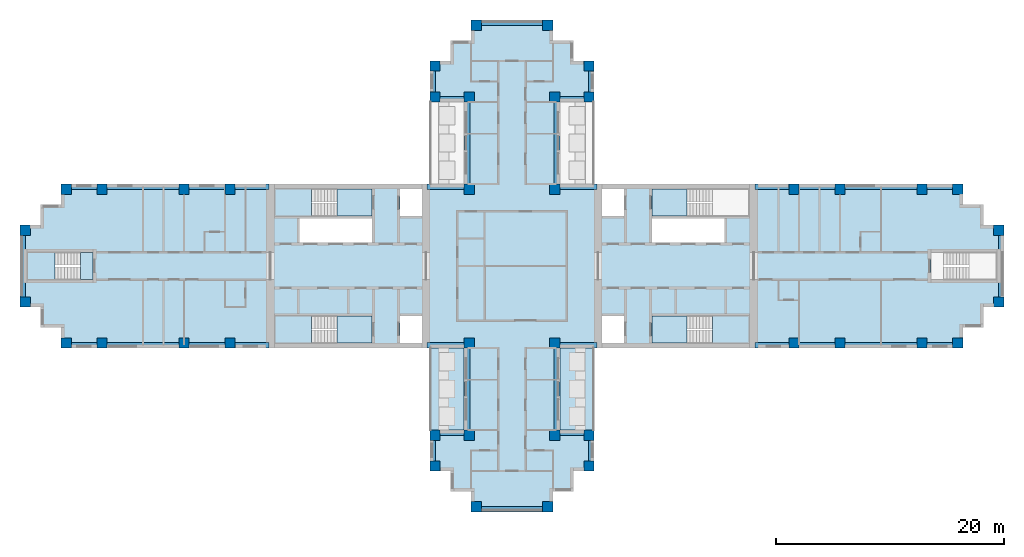
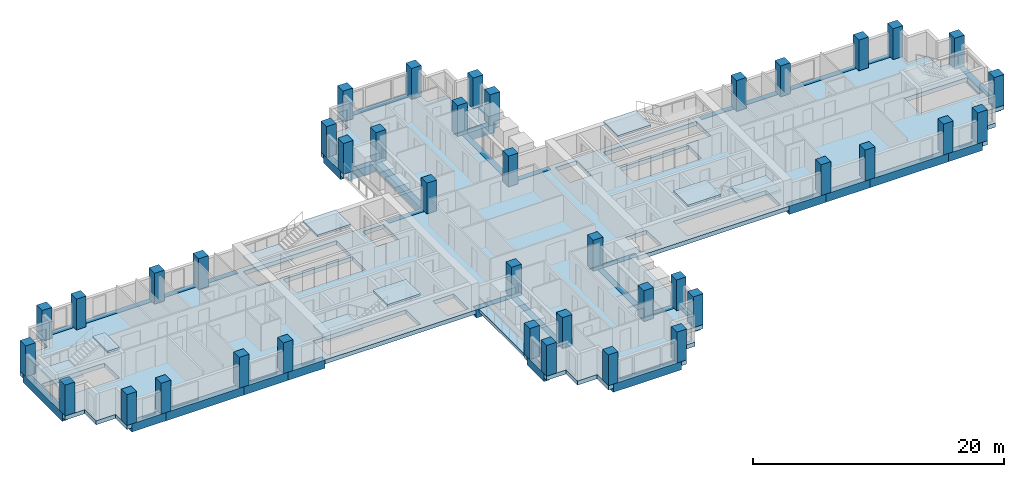
# One storey, part 1 of 12: 40 columns, 36 beams, 12 slabs, 5 elements without a shape of their own.
"""IFC4 building model written with IfcOpenShell, lengths in metres."""

from ifc_helpers import new_model, si_unit, direction, frame, origin, origin_2d, place, context, subcontext, project, spatial, polyline, rectangle, outline, extrude, material, layer, layer_set, material_profile, profile_set, type_object, element, aggregate, save


model = new_model("IFC4")

# Units and contexts
model_context = context("Model", 3, precision=1e-05, world=origin(), true_north=direction((0.0, 1.0)))
body_context = subcontext(model_context, "Body", "Model", "MODEL_VIEW")
ifc_project = project(units=[si_unit("LENGTHUNIT", "METRE"), si_unit("AREAUNIT", "SQUARE_METRE"), si_unit("VOLUMEUNIT", "CUBIC_METRE"), si_unit("PLANEANGLEUNIT", "RADIAN"), si_unit("MASSUNIT", "GRAM", prefix="KILO")], contexts=[model_context])

# Site, building, storey
site_placement = place(None, origin())
site = spatial("IfcSite", under=ifc_project, at=site_placement, CompositionType="ELEMENT")
building_placement = place(site_placement, origin())
building = spatial("IfcBuilding", under=site, at=building_placement, Name="Fustian Cross Tower", CompositionType="ELEMENT")
storey_placement = place(building_placement, frame((0.0, 0.0, 147.300048828125)))
storey = spatial("IfcBuildingStorey", under=building, at=storey_placement, Name="L46", CompositionType="ELEMENT", Elevation=147.300048828125)

# Columns
ifc_material_1 = material(Name="Concrete C50/60", Category="concrete")
ifc_material_profile_1 = material_profile(ifc_material_1, rectangle(XDim=0.89990234375, YDim=0.89990234375, at=origin_2d()), Name="RC 900x900")
ifc_profile_set_1 = profile_set([ifc_material_profile_1], Name="Concrete C50/60")
column_type = type_object("IfcColumnType", Name="COLUMN RC 900x900 C50/60", PredefinedType="COLUMN", material=ifc_profile_set_1)
for number, where, z_axis, x_axis, name in (
    (1, (-42.75, -3.14990234375, 0.0), (0.0, 0.0, 1.0), (1.0, 0.0, 0.0), "COLUMN 001"),
    (2, (-42.75, 3.14990234375, 0.0), (0.0, 0.0, 1.0), (1.0, 0.0, 0.0), "COLUMN 002"),
    (3, (-39.14990234375, -6.75, 0.0), (0.0, 0.0, 1.0), (1.0, 0.0, 0.0), "COLUMN 003"),
    (4, (-39.14990234375, 6.75, 0.0), (0.0, 0.0, 1.0), (1.0, 0.0, 0.0), "COLUMN 004"),
    (5, (-36.0, -6.75, 0.0), (0.0, 0.0, 1.0), (1.0, 0.0, 0.0), "COLUMN 005"),
    (6, (-36.0, 6.75, 0.0), (0.0, 0.0, 1.0), (1.0, 0.0, 0.0), "COLUMN 006"),
    (7, (-28.800048828125, -6.75, 0.0), (0.0, 0.0, 1.0), (1.0, 0.0, 0.0), "COLUMN 007"),
    (8, (-28.800048828125, 6.75, 0.0), (0.0, 0.0, 1.0), (1.0, 0.0, 0.0), "COLUMN 010"),
    (9, (-24.75, -6.75, 0.0), (0.0, 0.0, 1.0), (1.0, 0.0, 0.0), "COLUMN 011"),
    (10, (-24.75, 6.75, 0.0), (0.0, 0.0, 1.0), (1.0, 0.0, 0.0), "COLUMN 012"),
    (11, (-6.75, -17.550048828125, 0.0), (0.0, 0.0, 1.0), (1.0, 0.0, 0.0), "COLUMN 017"),
    (12, (-6.75, -14.85009765625, 0.0), (0.0, 0.0, 1.0), (1.0, 0.0, 0.0), "COLUMN 018"),
    (13, (-6.75, 14.85009765625, 0.0), (0.0, 0.0, 1.0), (1.0, 0.0, 0.0), "COLUMN 019"),
    (14, (-6.75, 17.550048828125, 0.0), (0.0, 0.0, 1.0), (1.0, 0.0, 0.0), "COLUMN 020"),
    (15, (-3.75, -14.85009765625, 0.0), (0.0, 0.0, 1.0), (1.0, 0.0, 0.0), "COLUMN 025"),
    (16, (-3.75, -6.75, 0.0), (0.0, 0.0, 1.0), (1.0, 0.0, 0.0), "COLUMN 026"),
    (17, (-3.75, 6.75, 0.0), (0.0, 0.0, 1.0), (1.0, 0.0, 0.0), "COLUMN 027"),
    (18, (-3.75, 14.85009765625, 0.0), (0.0, 0.0, 1.0), (1.0, 0.0, 0.0), "COLUMN 028"),
    (19, (-3.14990234375, -21.14990234375, 0.0), (0.0, 0.0, 1.0), (1.0, 0.0, 0.0), "COLUMN 030"),
    (20, (-3.14990234375, 21.14990234375, 0.0), (0.0, 0.0, 1.0), (1.0, 0.0, 0.0), "COLUMN 031"),
    (21, (3.14990234375, -21.14990234375, 0.0), (0.0, 0.0, 1.0), (1.0, 0.0, 0.0), "COLUMN 034"),
    (22, (3.14990234375, 21.14990234375, 0.0), (0.0, 0.0, 1.0), (1.0, 0.0, 0.0), "COLUMN 035"),
    (23, (3.75, -14.85009765625, 0.0), (0.0, 0.0, 1.0), (1.0, 0.0, 0.0), "COLUMN 037"),
    (24, (3.75, -6.75, 0.0), (0.0, 0.0, 1.0), (1.0, 0.0, 0.0), "COLUMN 038"),
    (25, (3.75, 6.75, 0.0), (0.0, 0.0, 1.0), (1.0, 0.0, 0.0), "COLUMN 039"),
    (26, (3.75, 14.85009765625, 0.0), (0.0, 0.0, 1.0), (1.0, 0.0, 0.0), "COLUMN 040"),
    (27, (6.75, -17.550048828125, 0.0), (0.0, 0.0, 1.0), (1.0, 0.0, 0.0), "COLUMN 045"),
    (28, (6.75, -14.85009765625, 0.0), (0.0, 0.0, 1.0), (1.0, 0.0, 0.0), "COLUMN 046"),
    (29, (6.75, 14.85009765625, 0.0), (0.0, 0.0, 1.0), (1.0, 0.0, 0.0), "COLUMN 047"),
    (30, (6.75, 17.550048828125, 0.0), (0.0, 0.0, 1.0), (1.0, 0.0, 0.0), "COLUMN 048"),
    (31, (24.75, -6.75, 0.0), (0.0, 0.0, 1.0), (1.0, 0.0, 0.0), "COLUMN 053"),
    (32, (24.75, 6.75, 0.0), (0.0, 0.0, 1.0), (1.0, 0.0, 0.0), "COLUMN 054"),
    (33, (28.800048828125, -6.75, 0.0), (0.0, 0.0, 1.0), (1.0, 0.0, 0.0), "COLUMN 055"),
    (34, (28.800048828125, 6.75, 0.0), (0.0, 0.0, 1.0), (1.0, 0.0, 0.0), "COLUMN 058"),
    (35, (36.0, -6.75, 0.0), (0.0, 0.0, 1.0), (1.0, 0.0, 0.0), "COLUMN 059"),
    (36, (36.0, 6.75, 0.0), (0.0, 0.0, 1.0), (1.0, 0.0, 0.0), "COLUMN 060"),
    (37, (39.14990234375, -6.75, 0.0), (0.0, 0.0, 1.0), (1.0, 0.0, 0.0), "COLUMN 061"),
    (38, (39.14990234375, 6.75, 0.0), (0.0, 0.0, 1.0), (1.0, 0.0, 0.0), "COLUMN 062"),
    (39, (42.75, -3.14990234375, 0.0), (0.0, 0.0, 1.0), (1.0, 0.0, 0.0), "COLUMN 063"),
    (40, (42.75, 3.14990234375, 0.0), (0.0, 0.0, 1.0), (1.0, 0.0, 0.0), "COLUMN 064"),
):
    element("IfcColumn", number, at=place(storey_placement, frame(where, z_axis=z_axis, x_axis=x_axis)), inside=storey, type_object=column_type, Name=name, PredefinedType="COLUMN", context=body_context, shape_type="SweptSolid", body=[
        extrude(rectangle(XDim=0.89990234375, YDim=0.89990234375, at=origin_2d()), origin(), (0.0, 0.0, 1.0), 3.0),
    ])

# Beams
ifc_material_2 = material(Name="Concrete C50/60", Category="concrete")
ifc_material_profile_2 = material_profile(ifc_material_2, rectangle(XDim=0.5, YDim=0.800048828125, at=origin_2d()), Name="RC 500x800")
ifc_profile_set_2 = profile_set([ifc_material_profile_2], Name="Concrete C50/60")
beam_type = type_object("IfcBeamType", Name="EDGE BEAM RC 500x800 C50/60", PredefinedType="SPANDREL", material=ifc_profile_set_2)
beam_1_placement = place(storey_placement, frame((21.35009765625, -6.949951171875, -0.400146484375), z_axis=(1.0, 0.0, 0.0), x_axis=(0.0, 1.0, 0.0)))
element("IfcBeam", 41, at=beam_1_placement, inside=storey, type_object=beam_type, Name="EDGE BEAM L46-01", PredefinedType="SPANDREL", context=body_context, shape_type="SweptSolid", body=[
    extrude(rectangle(XDim=0.5, YDim=0.800048828125, at=origin_2d()), origin(), (0.0, 0.0, 1.0), 3.39990234375),
])
beam_2_placement = place(storey_placement, frame((24.75, -6.949951171875, -0.400146484375), z_axis=(1.0, 0.0, 0.0), x_axis=(0.0, 1.0, 0.0)))
element("IfcBeam", 42, at=beam_2_placement, inside=storey, type_object=beam_type, Name="EDGE BEAM L46-02", PredefinedType="SPANDREL", context=body_context, shape_type="SweptSolid", body=[
    extrude(rectangle(XDim=0.5, YDim=0.800048828125, at=origin_2d()), origin(), (0.0, 0.0, 1.0), 4.050048828125),
])
beam_3_placement = place(storey_placement, frame((28.800048828125, -6.949951171875, -0.400146484375), z_axis=(1.0, 0.0, 0.0), x_axis=(0.0, 1.0, 0.0)))
element("IfcBeam", 43, at=beam_3_placement, inside=storey, type_object=beam_type, Name="EDGE BEAM L46-03", PredefinedType="SPANDREL", context=body_context, shape_type="SweptSolid", body=[
    extrude(rectangle(XDim=0.5, YDim=0.800048828125, at=origin_2d()), origin(), (0.0, 0.0, 1.0), 7.199951171875),
])
beam_4_placement = place(storey_placement, frame((36.0, -6.949951171875, -0.400146484375), z_axis=(1.0, 0.0, 0.0), x_axis=(0.0, 1.0, 0.0)))
element("IfcBeam", 44, at=beam_4_placement, inside=storey, type_object=beam_type, Name="EDGE BEAM L46-04", PredefinedType="SPANDREL", context=body_context, shape_type="SweptSolid", body=[
    extrude(rectangle(XDim=0.5, YDim=0.800048828125, at=origin_2d()), origin(), (0.0, 0.0, 1.0), 3.14990234375),
])
beam_5_placement = place(storey_placement, frame((42.949951171875, -3.14990234375, -0.400146484375), z_axis=(0.0, 1.0, 0.0), x_axis=(-1.0, 0.0, 0.0)))
element("IfcBeam", 45, at=beam_5_placement, inside=storey, type_object=beam_type, Name="EDGE BEAM L46-05", PredefinedType="SPANDREL", context=body_context, shape_type="SweptSolid", body=[
    extrude(rectangle(XDim=0.5, YDim=0.800048828125, at=origin_2d()), origin(), (0.0, 0.0, 1.0), 6.2998046875),
])
beam_6_placement = place(storey_placement, frame((39.14990234375, 6.949951171875, -0.400146484375), z_axis=(-1.0, 0.0, 0.0), x_axis=(0.0, -1.0, 0.0)))
element("IfcBeam", 46, at=beam_6_placement, inside=storey, type_object=beam_type, Name="EDGE BEAM L46-06", PredefinedType="SPANDREL", context=body_context, shape_type="SweptSolid", body=[
    extrude(rectangle(XDim=0.5, YDim=0.800048828125, at=origin_2d()), origin(), (0.0, 0.0, 1.0), 3.14990234375),
])
beam_7_placement = place(storey_placement, frame((36.0, 6.949951171875, -0.400146484375), z_axis=(-1.0, 0.0, 0.0), x_axis=(0.0, -1.0, 0.0)))
element("IfcBeam", 47, at=beam_7_placement, inside=storey, type_object=beam_type, Name="EDGE BEAM L46-07", PredefinedType="SPANDREL", context=body_context, shape_type="SweptSolid", body=[
    extrude(rectangle(XDim=0.5, YDim=0.800048828125, at=origin_2d()), origin(), (0.0, 0.0, 1.0), 7.199951171875),
])
beam_8_placement = place(storey_placement, frame((28.800048828125, 6.949951171875, -0.400146484375), z_axis=(-1.0, 0.0, 0.0), x_axis=(0.0, -1.0, 0.0)))
element("IfcBeam", 48, at=beam_8_placement, inside=storey, type_object=beam_type, Name="EDGE BEAM L46-08", PredefinedType="SPANDREL", context=body_context, shape_type="SweptSolid", body=[
    extrude(rectangle(XDim=0.5, YDim=0.800048828125, at=origin_2d()), origin(), (0.0, 0.0, 1.0), 4.050048828125),
])
beam_9_placement = place(storey_placement, frame((24.75, 6.949951171875, -0.400146484375), z_axis=(-1.0, 0.0, 0.0), x_axis=(0.0, -1.0, 0.0)))
element("IfcBeam", 49, at=beam_9_placement, inside=storey, type_object=beam_type, Name="EDGE BEAM L46-09", PredefinedType="SPANDREL", context=body_context, shape_type="SweptSolid", body=[
    extrude(rectangle(XDim=0.5, YDim=0.800048828125, at=origin_2d()), origin(), (0.0, 0.0, 1.0), 3.39990234375),
])
beam_10_placement = place(storey_placement, frame((7.449951171875, 6.949951171875, -0.400146484375), z_axis=(-1.0, 0.0, 0.0), x_axis=(0.0, -1.0, 0.0)))
element("IfcBeam", 50, at=beam_10_placement, inside=storey, type_object=beam_type, Name="EDGE BEAM L46-10", PredefinedType="SPANDREL", context=body_context, shape_type="SweptSolid", body=[
    extrude(rectangle(XDim=0.5, YDim=0.800048828125, at=origin_2d()), origin(), (0.0, 0.0, 1.0), 3.699951171875),
])
beam_11_placement = place(storey_placement, frame((3.949951171875, 6.75, -0.400146484375), z_axis=(0.0, 1.0, 0.0), x_axis=(-1.0, 0.0, 0.0)))
element("IfcBeam", 51, at=beam_11_placement, inside=storey, type_object=beam_type, Name="EDGE BEAM L46-11", PredefinedType="SPANDREL", context=body_context, shape_type="SweptSolid", body=[
    extrude(rectangle(XDim=0.5, YDim=0.800048828125, at=origin_2d()), origin(), (0.0, 0.0, 1.0), 8.10009765625),
])
beam_12_placement = place(storey_placement, frame((3.75, 14.64990234375, -0.400146484375), z_axis=(1.0, 0.0, 0.0), x_axis=(0.0, 1.0, 0.0)))
element("IfcBeam", 52, at=beam_12_placement, inside=storey, type_object=beam_type, Name="EDGE BEAM L46-12", PredefinedType="SPANDREL", context=body_context, shape_type="SweptSolid", body=[
    extrude(rectangle(XDim=0.5, YDim=0.800048828125, at=origin_2d()), origin(), (0.0, 0.0, 1.0), 3.0),
])
beam_13_placement = place(storey_placement, frame((6.949951171875, 14.85009765625, -0.400146484375), z_axis=(0.0, 1.0, 0.0), x_axis=(-1.0, 0.0, 0.0)))
element("IfcBeam", 53, at=beam_13_placement, inside=storey, type_object=beam_type, Name="EDGE BEAM L46-13", PredefinedType="SPANDREL", context=body_context, shape_type="SweptSolid", body=[
    extrude(rectangle(XDim=0.5, YDim=0.800048828125, at=origin_2d()), origin(), (0.0, 0.0, 1.0), 2.699951171875),
])
beam_14_placement = place(storey_placement, frame((3.14990234375, 21.35009765625, -0.400146484375), z_axis=(-1.0, 0.0, 0.0), x_axis=(0.0, -1.0, 0.0)))
element("IfcBeam", 54, at=beam_14_placement, inside=storey, type_object=beam_type, Name="EDGE BEAM L46-14", PredefinedType="SPANDREL", context=body_context, shape_type="SweptSolid", body=[
    extrude(rectangle(XDim=0.5, YDim=0.800048828125, at=origin_2d()), origin(), (0.0, 0.0, 1.0), 6.2998046875),
])
beam_15_placement = place(storey_placement, frame((-6.949951171875, 17.550048828125, -0.400146484375), z_axis=(0.0, -1.0, 0.0), x_axis=(1.0, 0.0, 0.0)))
element("IfcBeam", 55, at=beam_15_placement, inside=storey, type_object=beam_type, Name="EDGE BEAM L46-15", PredefinedType="SPANDREL", context=body_context, shape_type="SweptSolid", body=[
    extrude(rectangle(XDim=0.5, YDim=0.800048828125, at=origin_2d()), origin(), (0.0, 0.0, 1.0), 2.699951171875),
])
beam_16_placement = place(storey_placement, frame((-6.75, 14.64990234375, -0.400146484375), z_axis=(1.0, 0.0, 0.0), x_axis=(0.0, 1.0, 0.0)))
element("IfcBeam", 56, at=beam_16_placement, inside=storey, type_object=beam_type, Name="EDGE BEAM L46-16", PredefinedType="SPANDREL", context=body_context, shape_type="SweptSolid", body=[
    extrude(rectangle(XDim=0.5, YDim=0.800048828125, at=origin_2d()), origin(), (0.0, 0.0, 1.0), 3.0),
])
beam_17_placement = place(storey_placement, frame((-3.949951171875, 14.85009765625, -0.400146484375), z_axis=(0.0, -1.0, 0.0), x_axis=(1.0, 0.0, 0.0)))
element("IfcBeam", 57, at=beam_17_placement, inside=storey, type_object=beam_type, Name="EDGE BEAM L46-17", PredefinedType="SPANDREL", context=body_context, shape_type="SweptSolid", body=[
    extrude(rectangle(XDim=0.5, YDim=0.800048828125, at=origin_2d()), origin(), (0.0, 0.0, 1.0), 8.10009765625),
])
beam_18_placement = place(storey_placement, frame((-3.75, 6.949951171875, -0.400146484375), z_axis=(-1.0, 0.0, 0.0), x_axis=(0.0, -1.0, 0.0)))
element("IfcBeam", 58, at=beam_18_placement, inside=storey, type_object=beam_type, Name="EDGE BEAM L46-18", PredefinedType="SPANDREL", context=body_context, shape_type="SweptSolid", body=[
    extrude(rectangle(XDim=0.5, YDim=0.800048828125, at=origin_2d()), origin(), (0.0, 0.0, 1.0), 3.699951171875),
])
beam_19_placement = place(storey_placement, frame((-21.35009765625, 6.949951171875, -0.400146484375), z_axis=(-1.0, 0.0, 0.0), x_axis=(0.0, -1.0, 0.0)))
element("IfcBeam", 59, at=beam_19_placement, inside=storey, type_object=beam_type, Name="EDGE BEAM L46-19", PredefinedType="SPANDREL", context=body_context, shape_type="SweptSolid", body=[
    extrude(rectangle(XDim=0.5, YDim=0.800048828125, at=origin_2d()), origin(), (0.0, 0.0, 1.0), 3.39990234375),
])
beam_20_placement = place(storey_placement, frame((-24.75, 6.949951171875, -0.400146484375), z_axis=(-1.0, 0.0, 0.0), x_axis=(0.0, -1.0, 0.0)))
element("IfcBeam", 60, at=beam_20_placement, inside=storey, type_object=beam_type, Name="EDGE BEAM L46-20", PredefinedType="SPANDREL", context=body_context, shape_type="SweptSolid", body=[
    extrude(rectangle(XDim=0.5, YDim=0.800048828125, at=origin_2d()), origin(), (0.0, 0.0, 1.0), 4.050048828125),
])
beam_21_placement = place(storey_placement, frame((-28.800048828125, 6.949951171875, -0.400146484375), z_axis=(-1.0, 0.0, 0.0), x_axis=(0.0, -1.0, 0.0)))
element("IfcBeam", 61, at=beam_21_placement, inside=storey, type_object=beam_type, Name="EDGE BEAM L46-21", PredefinedType="SPANDREL", context=body_context, shape_type="SweptSolid", body=[
    extrude(rectangle(XDim=0.5, YDim=0.800048828125, at=origin_2d()), origin(), (0.0, 0.0, 1.0), 7.199951171875),
])
beam_22_placement = place(storey_placement, frame((-36.0, 6.949951171875, -0.400146484375), z_axis=(-1.0, 0.0, 0.0), x_axis=(0.0, -1.0, 0.0)))
element("IfcBeam", 62, at=beam_22_placement, inside=storey, type_object=beam_type, Name="EDGE BEAM L46-22", PredefinedType="SPANDREL", context=body_context, shape_type="SweptSolid", body=[
    extrude(rectangle(XDim=0.5, YDim=0.800048828125, at=origin_2d()), origin(), (0.0, 0.0, 1.0), 3.14990234375),
])
beam_23_placement = place(storey_placement, frame((-42.949951171875, 3.14990234375, -0.400146484375), z_axis=(0.0, -1.0, 0.0), x_axis=(1.0, 0.0, 0.0)))
element("IfcBeam", 63, at=beam_23_placement, inside=storey, type_object=beam_type, Name="EDGE BEAM L46-23", PredefinedType="SPANDREL", context=body_context, shape_type="SweptSolid", body=[
    extrude(rectangle(XDim=0.5, YDim=0.800048828125, at=origin_2d()), origin(), (0.0, 0.0, 1.0), 6.2998046875),
])
beam_24_placement = place(storey_placement, frame((-39.14990234375, -6.949951171875, -0.400146484375), z_axis=(1.0, 0.0, 0.0), x_axis=(0.0, 1.0, 0.0)))
element("IfcBeam", 64, at=beam_24_placement, inside=storey, type_object=beam_type, Name="EDGE BEAM L46-24", PredefinedType="SPANDREL", context=body_context, shape_type="SweptSolid", body=[
    extrude(rectangle(XDim=0.5, YDim=0.800048828125, at=origin_2d()), origin(), (0.0, 0.0, 1.0), 3.14990234375),
])
beam_25_placement = place(storey_placement, frame((-36.0, -6.949951171875, -0.400146484375), z_axis=(1.0, 0.0, 0.0), x_axis=(0.0, 1.0, 0.0)))
element("IfcBeam", 65, at=beam_25_placement, inside=storey, type_object=beam_type, Name="EDGE BEAM L46-25", PredefinedType="SPANDREL", context=body_context, shape_type="SweptSolid", body=[
    extrude(rectangle(XDim=0.5, YDim=0.800048828125, at=origin_2d()), origin(), (0.0, 0.0, 1.0), 7.199951171875),
])
beam_26_placement = place(storey_placement, frame((-28.800048828125, -6.949951171875, -0.400146484375), z_axis=(1.0, 0.0, 0.0), x_axis=(0.0, 1.0, 0.0)))
element("IfcBeam", 66, at=beam_26_placement, inside=storey, type_object=beam_type, Name="EDGE BEAM L46-26", PredefinedType="SPANDREL", context=body_context, shape_type="SweptSolid", body=[
    extrude(rectangle(XDim=0.5, YDim=0.800048828125, at=origin_2d()), origin(), (0.0, 0.0, 1.0), 4.050048828125),
])
beam_27_placement = place(storey_placement, frame((-24.75, -6.949951171875, -0.400146484375), z_axis=(1.0, 0.0, 0.0), x_axis=(0.0, 1.0, 0.0)))
element("IfcBeam", 67, at=beam_27_placement, inside=storey, type_object=beam_type, Name="EDGE BEAM L46-27", PredefinedType="SPANDREL", context=body_context, shape_type="SweptSolid", body=[
    extrude(rectangle(XDim=0.5, YDim=0.800048828125, at=origin_2d()), origin(), (0.0, 0.0, 1.0), 3.39990234375),
])
beam_28_placement = place(storey_placement, frame((-7.449951171875, -6.949951171875, -0.400146484375), z_axis=(1.0, 0.0, 0.0), x_axis=(0.0, 1.0, 0.0)))
element("IfcBeam", 68, at=beam_28_placement, inside=storey, type_object=beam_type, Name="EDGE BEAM L46-28", PredefinedType="SPANDREL", context=body_context, shape_type="SweptSolid", body=[
    extrude(rectangle(XDim=0.5, YDim=0.800048828125, at=origin_2d()), origin(), (0.0, 0.0, 1.0), 3.699951171875),
])
beam_29_placement = place(storey_placement, frame((-3.949951171875, -6.75, -0.400146484375), z_axis=(0.0, -1.0, 0.0), x_axis=(1.0, 0.0, 0.0)))
element("IfcBeam", 69, at=beam_29_placement, inside=storey, type_object=beam_type, Name="EDGE BEAM L46-29", PredefinedType="SPANDREL", context=body_context, shape_type="SweptSolid", body=[
    extrude(rectangle(XDim=0.5, YDim=0.800048828125, at=origin_2d()), origin(), (0.0, 0.0, 1.0), 8.10009765625),
])
beam_30_placement = place(storey_placement, frame((-3.75, -14.64990234375, -0.400146484375), z_axis=(-1.0, 0.0, 0.0), x_axis=(0.0, -1.0, 0.0)))
element("IfcBeam", 70, at=beam_30_placement, inside=storey, type_object=beam_type, Name="EDGE BEAM L46-30", PredefinedType="SPANDREL", context=body_context, shape_type="SweptSolid", body=[
    extrude(rectangle(XDim=0.5, YDim=0.800048828125, at=origin_2d()), origin(), (0.0, 0.0, 1.0), 3.0),
])
beam_31_placement = place(storey_placement, frame((-6.949951171875, -14.85009765625, -0.400146484375), z_axis=(0.0, -1.0, 0.0), x_axis=(1.0, 0.0, 0.0)))
element("IfcBeam", 71, at=beam_31_placement, inside=storey, type_object=beam_type, Name="EDGE BEAM L46-31", PredefinedType="SPANDREL", context=body_context, shape_type="SweptSolid", body=[
    extrude(rectangle(XDim=0.5, YDim=0.800048828125, at=origin_2d()), origin(), (0.0, 0.0, 1.0), 2.699951171875),
])
beam_32_placement = place(storey_placement, frame((-3.14990234375, -21.35009765625, -0.400146484375), z_axis=(1.0, 0.0, 0.0), x_axis=(0.0, 1.0, 0.0)))
element("IfcBeam", 72, at=beam_32_placement, inside=storey, type_object=beam_type, Name="EDGE BEAM L46-32", PredefinedType="SPANDREL", context=body_context, shape_type="SweptSolid", body=[
    extrude(rectangle(XDim=0.5, YDim=0.800048828125, at=origin_2d()), origin(), (0.0, 0.0, 1.0), 6.2998046875),
])
beam_33_placement = place(storey_placement, frame((6.949951171875, -17.550048828125, -0.400146484375), z_axis=(0.0, 1.0, 0.0), x_axis=(-1.0, 0.0, 0.0)))
element("IfcBeam", 73, at=beam_33_placement, inside=storey, type_object=beam_type, Name="EDGE BEAM L46-33", PredefinedType="SPANDREL", context=body_context, shape_type="SweptSolid", body=[
    extrude(rectangle(XDim=0.5, YDim=0.800048828125, at=origin_2d()), origin(), (0.0, 0.0, 1.0), 2.699951171875),
])
beam_34_placement = place(storey_placement, frame((6.75, -14.64990234375, -0.400146484375), z_axis=(-1.0, 0.0, 0.0), x_axis=(0.0, -1.0, 0.0)))
element("IfcBeam", 74, at=beam_34_placement, inside=storey, type_object=beam_type, Name="EDGE BEAM L46-34", PredefinedType="SPANDREL", context=body_context, shape_type="SweptSolid", body=[
    extrude(rectangle(XDim=0.5, YDim=0.800048828125, at=origin_2d()), origin(), (0.0, 0.0, 1.0), 3.0),
])
beam_35_placement = place(storey_placement, frame((3.949951171875, -14.85009765625, -0.400146484375), z_axis=(0.0, 1.0, 0.0), x_axis=(-1.0, 0.0, 0.0)))
element("IfcBeam", 75, at=beam_35_placement, inside=storey, type_object=beam_type, Name="EDGE BEAM L46-35", PredefinedType="SPANDREL", context=body_context, shape_type="SweptSolid", body=[
    extrude(rectangle(XDim=0.5, YDim=0.800048828125, at=origin_2d()), origin(), (0.0, 0.0, 1.0), 8.10009765625),
])
beam_36_placement = place(storey_placement, frame((3.75, -6.949951171875, -0.400146484375), z_axis=(1.0, 0.0, 0.0), x_axis=(0.0, 1.0, 0.0)))
element("IfcBeam", 76, at=beam_36_placement, inside=storey, type_object=beam_type, Name="EDGE BEAM L46-36", PredefinedType="SPANDREL", context=body_context, shape_type="SweptSolid", body=[
    extrude(rectangle(XDim=0.5, YDim=0.800048828125, at=origin_2d()), origin(), (0.0, 0.0, 1.0), 3.699951171875),
])

# Slabs
ifc_material_3 = material(Name="Concrete C40/50", Category="concrete")
ifc_layer_1 = layer(ifc_material_3, 0.300048828125)
ifc_layer_set_1 = layer_set([ifc_layer_1], Name="Concrete C40/50")
slab_type_1 = type_object("IfcSlabType", Name="BS1 BALCONY SLAB 300", PredefinedType="FLOOR", material=ifc_layer_set_1)
slab_1_placement = place(storey_placement, frame((0.0, 0.0, -0.300048828125)))
element("IfcSlab", 77, at=slab_1_placement, inside=storey, type_object=slab_type_1, Name="Balcony slab", PredefinedType="FLOOR", context=body_context, shape_type="SweptSolid", body=[
    extrude(outline(polyline([(4.199951171875, -14.39990234375), (7.199951171875, -14.39990234375), (7.199951171875, -7.199951171875), (4.199951171875, -7.199951171875), (4.199951171875, -14.39990234375)])), origin(), (0.0, 0.0, 1.0), 0.300048828125),
])
slab_2_placement = place(storey_placement, frame((0.0, 0.0, -0.300048828125)))
element("IfcSlab", 78, at=slab_2_placement, inside=storey, type_object=slab_type_1, Name="Balcony slab", PredefinedType="FLOOR", context=body_context, shape_type="SweptSolid", body=[
    extrude(outline(polyline([(-7.199951171875, -14.39990234375), (-4.199951171875, -14.39990234375), (-4.199951171875, -7.199951171875), (-7.199951171875, -7.199951171875), (-7.199951171875, -14.39990234375)])), origin(), (0.0, 0.0, 1.0), 0.300048828125),
])
ifc_material_4 = material(Name="Concrete C40/50", Category="concrete")
ifc_layer_2 = layer(ifc_material_4, 0.39990234375)
ifc_layer_set_2 = layer_set([ifc_layer_2], Name="Concrete C40/50")
slab_type_2 = type_object("IfcSlabType", Name="FLAT SLAB 400", PredefinedType="FLOOR", material=ifc_layer_set_2)
slab_3_placement = place(storey_placement, frame((0.0, 0.0, -0.400146484375)))
element("IfcSlab", 79, at=slab_3_placement, inside=storey, type_object=slab_type_2, Name="FLOOR SLAB L46-1", PredefinedType="FLOOR", context=body_context, shape_type="SweptSolid", body=[
    extrude(outline(polyline([(-5.39990234375, -18.0), (-7.199951171875, -18.0), (-7.199951171875, -14.39990234375), (-4.199951171875, -14.39990234375), (-4.199951171875, -7.199951171875), (-39.60009765625, -7.199951171875), (-39.60009765625, -5.39990234375), (-41.39990234375, -5.39990234375), (-41.39990234375, -3.60009765625), (-43.199951171875, -3.60009765625), (-43.199951171875, 3.60009765625), (-41.39990234375, 3.60009765625), (-41.39990234375, 5.39990234375), (-39.60009765625, 5.39990234375), (-39.60009765625, 7.199951171875), (-4.199951171875, 7.199951171875), (-4.199951171875, 14.39990234375), (-7.199951171875, 14.39990234375), (-7.199951171875, 18.0), (-5.39990234375, 18.0), (-5.39990234375, 19.800048828125), (-3.60009765625, 19.800048828125), (-3.60009765625, 21.60009765625), (3.60009765625, 21.60009765625), (3.60009765625, 19.800048828125), (5.39990234375, 19.800048828125), (5.39990234375, 18.0), (7.199951171875, 18.0), (7.199951171875, 14.39990234375), (4.199951171875, 14.39990234375), (4.199951171875, 7.199951171875), (39.60009765625, 7.199951171875), (39.60009765625, 5.39990234375), (41.39990234375, 5.39990234375), (41.39990234375, 3.60009765625), (43.199951171875, 3.60009765625), (43.199951171875, -3.60009765625), (41.39990234375, -3.60009765625), (41.39990234375, -5.39990234375), (39.60009765625, -5.39990234375), (39.60009765625, -7.199951171875), (4.199951171875, -7.199951171875), (4.199951171875, -14.39990234375), (7.199951171875, -14.39990234375), (7.199951171875, -18.0), (5.39990234375, -18.0), (5.39990234375, -19.800048828125), (3.60009765625, -19.800048828125), (3.60009765625, -21.60009765625), (-3.60009765625, -21.60009765625), (-3.60009765625, -19.800048828125), (-5.39990234375, -19.800048828125), (-5.39990234375, -18.0)]), holes=[polyline([(9.85009765625, 4.39990234375), (9.85009765625, 6.75), (7.89990234375, 6.75), (7.89990234375, 4.39990234375), (9.85009765625, 4.39990234375)]), polyline([(7.89990234375, -6.75), (9.85009765625, -6.75), (9.85009765625, -4.39990234375), (7.89990234375, -4.39990234375), (7.89990234375, -6.75)]), polyline([(-9.85009765625, 6.75), (-9.85009765625, 4.39990234375), (-7.89990234375, 4.39990234375), (-7.89990234375, 6.75), (-9.85009765625, 6.75)]), polyline([(-7.89990234375, -4.39990234375), (-9.85009765625, -4.39990234375), (-9.85009765625, -6.75), (-7.89990234375, -6.75), (-7.89990234375, -4.39990234375)]), polyline([(18.64990234375, 2.050048828125), (18.64990234375, 4.14990234375), (12.300048828125, 4.14990234375), (12.300048828125, 2.050048828125), (18.64990234375, 2.050048828125)]), polyline([(-18.64990234375, 2.050048828125), (-12.300048828125, 2.050048828125), (-12.300048828125, 4.14990234375), (-18.64990234375, 4.14990234375), (-18.64990234375, 2.050048828125)]), polyline([(12.300048828125, 6.699951171875), (12.300048828125, 4.39990234375), (20.85009765625, 4.39990234375), (20.85009765625, 6.699951171875), (12.300048828125, 6.699951171875)]), polyline([(20.85009765625, -4.39990234375), (12.300048828125, -4.39990234375), (12.300048828125, -6.699951171875), (20.85009765625, -6.699951171875), (20.85009765625, -4.39990234375)]), polyline([(-12.300048828125, 4.39990234375), (-12.300048828125, 6.699951171875), (-20.85009765625, 6.699951171875), (-20.85009765625, 4.39990234375), (-12.300048828125, 4.39990234375)]), polyline([(-20.85009765625, -6.699951171875), (-12.300048828125, -6.699951171875), (-12.300048828125, -4.39990234375), (-20.85009765625, -4.39990234375), (-20.85009765625, -6.699951171875)]), polyline([(36.800048828125, 1.199951171875), (36.800048828125, -1.199951171875), (42.60009765625, -1.199951171875), (42.60009765625, 1.199951171875), (36.800048828125, 1.199951171875)]), polyline([(-36.800048828125, 1.199951171875), (-42.60009765625, 1.199951171875), (-42.60009765625, -1.199951171875), (-36.800048828125, -1.199951171875), (-36.800048828125, 1.199951171875)])]), origin(), (0.0, 0.0, 1.0), 0.400146484375),
])

# Stair, slab
ifc_material_5 = material(Name="Concrete C50/60", Category="concrete")
stair_type_1 = type_object("IfcStairType", Name="STAIR 1150 HALF TURN", PredefinedType="HALF_TURN_STAIR", material=ifc_material_5)
stair_1_placement = place(storey_placement, origin())
stair_1 = element("IfcStair", 80, at=stair_1_placement, inside=storey, type_object=stair_type_1, Name="Stair ST1", PredefinedType="HALF_TURN_STAIR")
ifc_material_6 = material(Name="Concrete C50/60", Category="concrete")
ifc_layer_3 = layer(ifc_material_6, 0.199951171875)
ifc_layer_set_3 = layer_set([ifc_layer_3], Name="Concrete C50/60")
slab_type_3 = type_object("IfcSlabType", Name="STAIR LANDING", PredefinedType="LANDING", material=ifc_layer_set_3)
slab_4_placement = place(storey_placement, frame((0.0, 0.0, 2.800048828125)))
slab_4 = element("IfcSlab", 81, at=slab_4_placement, type_object=slab_type_3, Name="ST1 landing 2", PredefinedType="LANDING", context=body_context, shape_type="SweptSolid", body=[
    extrude(outline(polyline([(12.300048828125, 4.39990234375), (15.35009765625, 4.39990234375), (15.35009765625, 6.75), (12.300048828125, 6.75), (12.300048828125, 4.39990234375)])), origin(), (0.0, 0.0, 1.0), 0.199951171875),
])
aggregate(stair_1, [slab_4])

# Stair, slabs
stair_2_placement = place(storey_placement, origin())
stair_2 = element("IfcStair", 82, at=stair_2_placement, inside=storey, type_object=stair_type_1, Name="Stair ST2", PredefinedType="HALF_TURN_STAIR")
slab_5_placement = place(storey_placement, frame((0.0, 0.0, 1.300048828125)))
slab_5 = element("IfcSlab", 83, at=slab_5_placement, type_object=slab_type_3, Name="ST2 landing 1", PredefinedType="LANDING", context=body_context, shape_type="SweptSolid", body=[
    extrude(outline(polyline([(17.590087890625, -4.39990234375), (20.85009765625, -4.39990234375), (20.85009765625, -6.75), (17.590087890625, -6.75), (17.590087890625, -4.39990234375)])), origin(), (0.0, 0.0, 1.0), 0.199951171875),
])
slab_6_placement = place(storey_placement, frame((0.0, 0.0, 2.800048828125)))
slab_6 = element("IfcSlab", 84, at=slab_6_placement, type_object=slab_type_3, Name="ST2 landing 2", PredefinedType="LANDING", context=body_context, shape_type="SweptSolid", body=[
    extrude(outline(polyline([(12.300048828125, -4.39990234375), (15.35009765625, -4.39990234375), (15.35009765625, -6.75), (12.300048828125, -6.75), (12.300048828125, -4.39990234375)])), origin(), (0.0, 0.0, 1.0), 0.199951171875),
])
aggregate(stair_2, [slab_5, slab_6])

stair_3_placement = place(storey_placement, origin())
stair_3 = element("IfcStair", 85, at=stair_3_placement, inside=storey, type_object=stair_type_1, Name="Stair ST3", PredefinedType="HALF_TURN_STAIR")
slab_7_placement = place(storey_placement, frame((0.0, 0.0, 1.300048828125)))
slab_7 = element("IfcSlab", 86, at=slab_7_placement, type_object=slab_type_3, Name="ST3 landing 1", PredefinedType="LANDING", context=body_context, shape_type="SweptSolid", body=[
    extrude(outline(polyline([(-17.590087890625, 4.39990234375), (-20.85009765625, 4.39990234375), (-20.85009765625, 6.75), (-17.590087890625, 6.75), (-17.590087890625, 4.39990234375)])), origin(), (0.0, 0.0, 1.0), 0.199951171875),
])
slab_8_placement = place(storey_placement, frame((0.0, 0.0, 2.800048828125)))
slab_8 = element("IfcSlab", 87, at=slab_8_placement, type_object=slab_type_3, Name="ST3 landing 2", PredefinedType="LANDING", context=body_context, shape_type="SweptSolid", body=[
    extrude(outline(polyline([(-12.300048828125, 4.39990234375), (-15.35009765625, 4.39990234375), (-15.35009765625, 6.75), (-12.300048828125, 6.75), (-12.300048828125, 4.39990234375)])), origin(), (0.0, 0.0, 1.0), 0.199951171875),
])
aggregate(stair_3, [slab_7, slab_8])

stair_4_placement = place(storey_placement, origin())
stair_4 = element("IfcStair", 88, at=stair_4_placement, inside=storey, type_object=stair_type_1, Name="Stair ST4", PredefinedType="HALF_TURN_STAIR")
slab_9_placement = place(storey_placement, frame((0.0, 0.0, 1.300048828125)))
slab_9 = element("IfcSlab", 89, at=slab_9_placement, type_object=slab_type_3, Name="ST4 landing 1", PredefinedType="LANDING", context=body_context, shape_type="SweptSolid", body=[
    extrude(outline(polyline([(-17.590087890625, -4.39990234375), (-20.85009765625, -4.39990234375), (-20.85009765625, -6.75), (-17.590087890625, -6.75), (-17.590087890625, -4.39990234375)])), origin(), (0.0, 0.0, 1.0), 0.199951171875),
])
slab_10_placement = place(storey_placement, frame((0.0, 0.0, 2.800048828125)))
slab_10 = element("IfcSlab", 90, at=slab_10_placement, type_object=slab_type_3, Name="ST4 landing 2", PredefinedType="LANDING", context=body_context, shape_type="SweptSolid", body=[
    extrude(outline(polyline([(-12.300048828125, -4.39990234375), (-15.35009765625, -4.39990234375), (-15.35009765625, -6.75), (-12.300048828125, -6.75), (-12.300048828125, -4.39990234375)])), origin(), (0.0, 0.0, 1.0), 0.199951171875),
])
aggregate(stair_4, [slab_9, slab_10])

ifc_material_7 = material(Name="Concrete C50/60", Category="concrete")
stair_type_2 = type_object("IfcStairType", Name="STAIR 1100 HALF TURN", PredefinedType="HALF_TURN_STAIR", material=ifc_material_7)
stair_5_placement = place(storey_placement, origin())
stair_5 = element("IfcStair", 91, at=stair_5_placement, inside=storey, type_object=stair_type_2, Name="Stair ST9", PredefinedType="HALF_TURN_STAIR")
slab_11_placement = place(storey_placement, frame((0.0, 0.0, 1.300048828125)))
slab_11 = element("IfcSlab", 92, at=slab_11_placement, type_object=slab_type_3, Name="ST9 landing 1", PredefinedType="LANDING", context=body_context, shape_type="SweptSolid", body=[
    extrude(outline(polyline([(-40.139892578125, -1.199951171875), (-42.60009765625, -1.199951171875), (-42.60009765625, 1.199951171875), (-40.139892578125, 1.199951171875), (-40.139892578125, -1.199951171875)])), origin(), (0.0, 0.0, 1.0), 0.199951171875),
])
slab_12_placement = place(storey_placement, frame((0.0, 0.0, 2.800048828125)))
slab_12 = element("IfcSlab", 93, at=slab_12_placement, type_object=slab_type_3, Name="ST9 landing 2", PredefinedType="LANDING", context=body_context, shape_type="SweptSolid", body=[
    extrude(outline(polyline([(-36.800048828125, -1.199951171875), (-37.89990234375, -1.199951171875), (-37.89990234375, 1.199951171875), (-36.800048828125, 1.199951171875), (-36.800048828125, -1.199951171875)])), origin(), (0.0, 0.0, 1.0), 0.199951171875),
])
aggregate(stair_5, [slab_11, slab_12])

save(model, "model.ifc")
